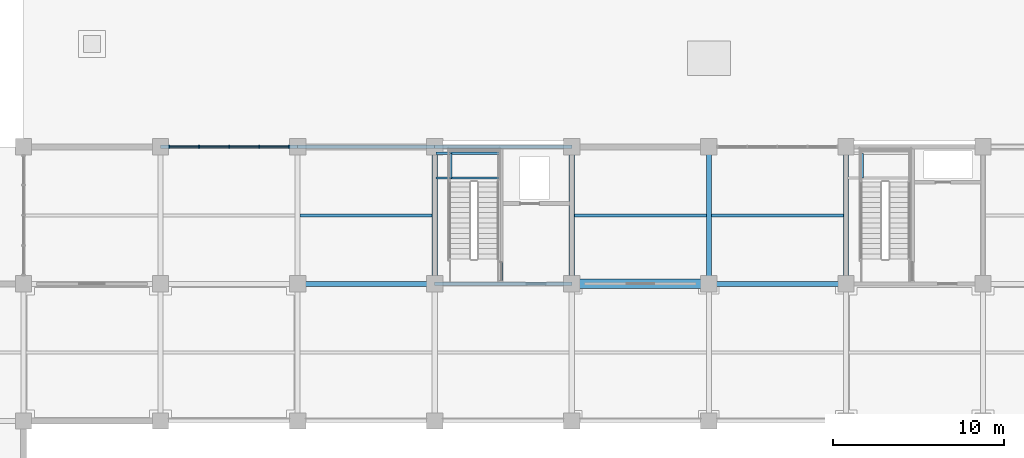
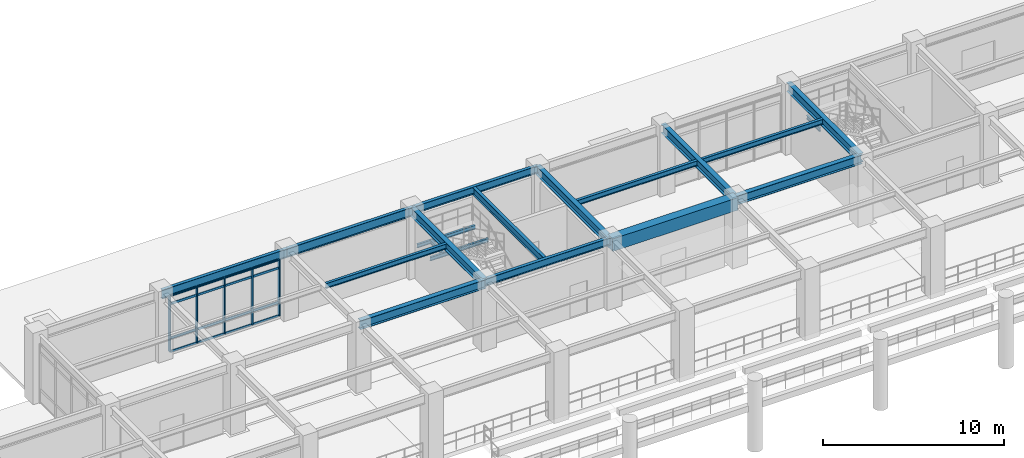
# One storey, part 42 of 109: 21 members, 19 beams, 1 element without a shape of its own.
"""IFC4 building model written with IfcOpenShell, lengths in metres."""

from ifc_helpers import new_model, si_unit, direction, frame, origin, origin_2d, place, context, subcontext, project, spatial, rectangle, i_section, extrude, material, layer, layer_set, material_profile, profile_set, type_object, element, aggregate, save


model = new_model("IFC4")

# Units and contexts
model_context = context("Model", 3, precision=1e-05, world=origin(), true_north=direction((0.0, 1.0)))
body_context = subcontext(model_context, "Body", "Model", "MODEL_VIEW")
ifc_project = project(units=[si_unit("LENGTHUNIT", "METRE"), si_unit("AREAUNIT", "SQUARE_METRE"), si_unit("VOLUMEUNIT", "CUBIC_METRE"), si_unit("PLANEANGLEUNIT", "RADIAN"), si_unit("MASSUNIT", "GRAM", prefix="KILO")], contexts=[model_context])

# Site, building, storey
site_placement = place(None, origin())
site = spatial("IfcSite", under=ifc_project, at=site_placement, CompositionType="ELEMENT")
building_placement = place(site_placement, origin())
building = spatial("IfcBuilding", under=site, at=building_placement, Name="Haebicheon Civic Stadium", CompositionType="ELEMENT")
storey_placement = place(building_placement, frame((0.0, 0.0, 9.60009765625)))
storey = spatial("IfcBuildingStorey", under=building, at=storey_placement, Name="L03", CompositionType="ELEMENT", Elevation=9.60009765625)

# Beams
ifc_material_1 = material(Name="Concrete C40/50", Category="concrete")
ifc_material_profile_1 = material_profile(ifc_material_1, rectangle(XDim=0.550048828125, YDim=0.85009765625, at=origin_2d()), Name="RC-BM-550x850")
ifc_profile_set_1 = profile_set([ifc_material_profile_1], Name="Concrete C40/50")
beam_type_1 = type_object("IfcBeamType", Name="BM-RC-550x850", PredefinedType="BEAM", material=ifc_profile_set_1)
beam_1_placement = place(storey_placement, frame((96.0, 160.0, 4.114990234375), z_axis=(1.0, 0.0, 0.0), x_axis=(0.0, 1.0, 0.0)))
element("IfcBeam", 1, at=beam_1_placement, inside=storey, type_object=beam_type_1, material=ifc_profile_set_1, Name="L03 beam W/13-14", PredefinedType="BEAM", context=body_context, shape_type="SweptSolid", body=[
    extrude(rectangle(XDim=0.550048828125, YDim=0.85009765625, at=origin_2d()), origin(), (0.0, 0.0, 1.0), 8.0),
])
ifc_material_2 = material(Name="Steel SM355 (S355)", Category="steel")
ifc_material_profile_2 = material_profile(ifc_material_2, i_section(OverallWidth=0.199951171875, OverallDepth=0.5, WebThickness=0.010009765625, FlangeThickness=0.01611328125, at=origin_2d()), Name="H-500x200x10x16")
ifc_profile_set_2 = profile_set([ifc_material_profile_2], Name="Steel SM355 (S355)")
beam_type_2 = type_object("IfcBeamType", Name="BM-ST-H500", PredefinedType="BEAM", material=ifc_profile_set_2)
for number, where, z_axis, x_axis, name in (
    (2, (88.0, 160.0, 4.289794921875), (1.0, 0.0, 0.0), (0.0, 1.0, 0.0), "L03 beam W/12-13"),
    (3, (88.0, 168.0, 4.289794921875), (1.0, 0.0, 0.0), (0.0, 1.0, 0.0), "L03 beam X/12-13"),
):
    element("IfcBeam", number, at=place(storey_placement, frame(where, z_axis=z_axis, x_axis=x_axis)), inside=storey, type_object=beam_type_2, material=ifc_profile_set_2, Name=name, PredefinedType="BEAM", context=body_context, shape_type="SweptSolid", body=[
        extrude(i_section(OverallWidth=0.199951171875, OverallDepth=0.5, WebThickness=0.010009765625, FlangeThickness=0.01611328125, at=origin_2d()), origin(), (0.0, 0.0, 1.0), 8.0),
    ])
beam_2_placement = place(storey_placement, frame((91.8798828125, 160.10009765625, 4.289794921875), z_axis=(0.0, 1.0, 0.0), x_axis=(-1.0, 0.0, 0.0)))
element("IfcBeam", 4, at=beam_2_placement, inside=storey, type_object=beam_type_2, material=ifc_profile_set_2, Name="L03 KC-08 core dividing wall support beam", PredefinedType="BEAM", context=body_context, shape_type="SweptSolid", body=[
    extrude(i_section(OverallWidth=0.199951171875, OverallDepth=0.5, WebThickness=0.010009765625, FlangeThickness=0.01611328125, at=origin_2d()), origin(), (0.0, 0.0, 1.0), 7.7998046875),
])
ifc_material_3 = material(Name="Steel SM355 (S355)", Category="steel")
ifc_material_profile_3 = material_profile(ifc_material_3, i_section(OverallWidth=0.300048828125, OverallDepth=0.60009765625, WebThickness=0.011962890625, FlangeThickness=0.02001953125, at=origin_2d()), Name="H-600x300x12x20")
ifc_profile_set_3 = profile_set([ifc_material_profile_3], Name="Steel SM355 (S355)")
beam_type_3 = type_object("IfcBeamType", Name="BM-ST-H600A", PredefinedType="BEAM", material=ifc_profile_set_3)
for number, where, z_axis, x_axis, name in (
    (5, (88.0, 160.0, 4.239990234375), (0.0, 1.0, 0.0), (-1.0, 0.0, 0.0), "L03 girder 12/W-X"),
    (6, (96.0, 160.0, 4.239990234375), (0.0, 1.0, 0.0), (-1.0, 0.0, 0.0), "L03 girder 13/W-X"),
    (7, (104.0, 160.0, 4.239990234375), (0.0, 1.0, 0.0), (-1.0, 0.0, 0.0), "L03 girder 14/W-X"),
    (8, (112.0, 160.0, 4.239990234375), (0.0, 1.0, 0.0), (-1.0, 0.0, 0.0), "L03 girder 15/W-X"),
    (9, (80.0, 160.0, 4.239990234375), (1.0, 0.0, 0.0), (0.0, 1.0, 0.0), "L03 beam W/11-12"),
    (10, (104.0, 160.0, 4.239990234375), (1.0, 0.0, 0.0), (0.0, 1.0, 0.0), "L03 beam W/14-15"),
):
    element("IfcBeam", number, at=place(storey_placement, frame(where, z_axis=z_axis, x_axis=x_axis)), inside=storey, type_object=beam_type_3, material=ifc_profile_set_3, Name=name, PredefinedType="BEAM", context=body_context, shape_type="SweptSolid", body=[
        extrude(i_section(OverallWidth=0.300048828125, OverallDepth=0.60009765625, WebThickness=0.011962890625, FlangeThickness=0.02001953125, at=origin_2d()), origin(), (0.0, 0.0, 1.0), 8.0),
    ])

# Curtain wall, members
ifc_material_4 = material(Name="Anodised aluminium and laminated glass", Category="aluminium")
ifc_layer = layer(ifc_material_4, 0.179931640625, Name="Anodised aluminium and laminated glass")
ifc_layer_set = layer_set([ifc_layer], Name="Anodised aluminium and laminated glass")
curtain_wall_type = type_object("IfcCurtainWallType", Name="CW-7050x3770", PredefinedType="NOTDEFINED", material=ifc_layer_set)
curtain_wall_placement = place(storey_placement, origin())
curtain_wall = element("IfcCurtainWall", 11, at=curtain_wall_placement, inside=storey, type_object=curtain_wall_type, material=ifc_layer_set, Name="L03 unitised curtain wall 079", PredefinedType="NOTDEFINED")
ifc_material_5 = material(Name="Anodised aluminium 6063-T6", Category="aluminium")
ifc_material_profile_4 = material_profile(ifc_material_5, rectangle(XDim=0.070068359375, YDim=0.199951171875, at=origin_2d()), Name="ALU-MULL-70x200")
ifc_profile_set_4 = profile_set([ifc_material_profile_4], Name="Anodised aluminium 6063-T6")
member_type_1 = type_object("IfcMemberType", Name="CWM-200x70", PredefinedType="MULLION", material=ifc_profile_set_4)
member_1_placement = place(storey_placement, frame((72.510009765625, 168.0, 0.159912109375), z_axis=(0.0, 0.0, 1.0), x_axis=(1.0, 0.0, 0.0)))
member_1 = element("IfcMember", 12, at=member_1_placement, type_object=member_type_1, material=ifc_profile_set_4, Name="CW-L03-079 vertical mullion 1", PredefinedType="MULLION", context=body_context, shape_type="SweptSolid", body=[
    extrude(rectangle(XDim=0.070068359375, YDim=0.199951171875, at=origin_2d()), origin(), (0.0, 0.0, 1.0), 3.77001953125),
])
member_2_placement = place(storey_placement, frame((74.237060546875, 168.0, 0.159912109375), z_axis=(0.0, 0.0, 1.0), x_axis=(1.0, 0.0, 0.0)))
member_2 = element("IfcMember", 13, at=member_2_placement, type_object=member_type_1, material=ifc_profile_set_4, Name="CW-L03-079 vertical mullion 2", PredefinedType="MULLION", context=body_context, shape_type="SweptSolid", body=[
    extrude(rectangle(XDim=0.070068359375, YDim=0.199951171875, at=origin_2d()), origin(), (0.0, 0.0, 1.0), 3.77001953125),
])
member_3_placement = place(storey_placement, frame((76.0, 168.0, 0.159912109375), z_axis=(0.0, 0.0, 1.0), x_axis=(1.0, 0.0, 0.0)))
member_3 = element("IfcMember", 14, at=member_3_placement, type_object=member_type_1, material=ifc_profile_set_4, Name="CW-L03-079 vertical mullion 3", PredefinedType="MULLION", context=body_context, shape_type="SweptSolid", body=[
    extrude(rectangle(XDim=0.070068359375, YDim=0.199951171875, at=origin_2d()), origin(), (0.0, 0.0, 1.0), 3.77001953125),
])
member_4_placement = place(storey_placement, frame((77.762939453125, 168.0, 0.159912109375), z_axis=(0.0, 0.0, 1.0), x_axis=(1.0, 0.0, 0.0)))
member_4 = element("IfcMember", 15, at=member_4_placement, type_object=member_type_1, material=ifc_profile_set_4, Name="CW-L03-079 vertical mullion 4", PredefinedType="MULLION", context=body_context, shape_type="SweptSolid", body=[
    extrude(rectangle(XDim=0.070068359375, YDim=0.199951171875, at=origin_2d()), origin(), (0.0, 0.0, 1.0), 3.77001953125),
])
member_5_placement = place(storey_placement, frame((79.489990234375, 168.0, 0.159912109375), z_axis=(0.0, 0.0, 1.0), x_axis=(1.0, 0.0, 0.0)))
member_5 = element("IfcMember", 16, at=member_5_placement, type_object=member_type_1, material=ifc_profile_set_4, Name="CW-L03-079 vertical mullion 5", PredefinedType="MULLION", context=body_context, shape_type="SweptSolid", body=[
    extrude(rectangle(XDim=0.070068359375, YDim=0.199951171875, at=origin_2d()), origin(), (0.0, 0.0, 1.0), 3.77001953125),
])
ifc_material_6 = material(Name="Anodised aluminium 6063-T6", Category="aluminium")
ifc_material_profile_5 = material_profile(ifc_material_6, rectangle(XDim=0.070068359375, YDim=0.14990234375, at=origin_2d()), Name="ALU-TRAN-70x150")
ifc_profile_set_5 = profile_set([ifc_material_profile_5], Name="Anodised aluminium 6063-T6")
member_type_2 = type_object("IfcMemberType", Name="CWT-150x70", PredefinedType="NOTDEFINED", material=ifc_profile_set_5)
member_6_placement = place(storey_placement, frame((72.544921875, 168.0, 0.159912109375), z_axis=(1.0, 0.0, 0.0), x_axis=(0.0, 1.0, 0.0)))
member_6 = element("IfcMember", 17, at=member_6_placement, type_object=member_type_2, material=ifc_profile_set_5, Name="CW-L03-079 horizontal transom 1.1", ObjectType="TRANSOM", PredefinedType="USERDEFINED", context=body_context, shape_type="SweptSolid", body=[
    extrude(rectangle(XDim=0.070068359375, YDim=0.14990234375, at=origin_2d()), origin(), (0.0, 0.0, 1.0), 1.656982421875),
])
member_7_placement = place(storey_placement, frame((72.544921875, 168.0, 1.059814453125), z_axis=(1.0, 0.0, 0.0), x_axis=(0.0, 1.0, 0.0)))
member_7 = element("IfcMember", 18, at=member_7_placement, type_object=member_type_2, material=ifc_profile_set_5, Name="CW-L03-079 horizontal transom 1.2", ObjectType="TRANSOM", PredefinedType="USERDEFINED", context=body_context, shape_type="SweptSolid", body=[
    extrude(rectangle(XDim=0.070068359375, YDim=0.14990234375, at=origin_2d()), origin(), (0.0, 0.0, 1.0), 1.656982421875),
])
member_8_placement = place(storey_placement, frame((72.544921875, 168.0, 3.3798828125), z_axis=(1.0, 0.0, 0.0), x_axis=(0.0, 1.0, 0.0)))
member_8 = element("IfcMember", 19, at=member_8_placement, type_object=member_type_2, material=ifc_profile_set_5, Name="CW-L03-079 horizontal transom 1.3", ObjectType="TRANSOM", PredefinedType="USERDEFINED", context=body_context, shape_type="SweptSolid", body=[
    extrude(rectangle(XDim=0.070068359375, YDim=0.14990234375, at=origin_2d()), origin(), (0.0, 0.0, 1.0), 1.656982421875),
])
member_9_placement = place(storey_placement, frame((72.544921875, 168.0, 3.929931640625), z_axis=(1.0, 0.0, 0.0), x_axis=(0.0, 1.0, 0.0)))
member_9 = element("IfcMember", 20, at=member_9_placement, type_object=member_type_2, material=ifc_profile_set_5, Name="CW-L03-079 horizontal transom 1.4", ObjectType="TRANSOM", PredefinedType="USERDEFINED", context=body_context, shape_type="SweptSolid", body=[
    extrude(rectangle(XDim=0.070068359375, YDim=0.14990234375, at=origin_2d()), origin(), (0.0, 0.0, 1.0), 1.656982421875),
])
member_10_placement = place(storey_placement, frame((74.27197265625, 168.0, 0.159912109375), z_axis=(1.0, 0.0, 0.0), x_axis=(0.0, 1.0, 0.0)))
member_10 = element("IfcMember", 21, at=member_10_placement, type_object=member_type_2, material=ifc_profile_set_5, Name="CW-L03-079 horizontal transom 2.1", ObjectType="TRANSOM", PredefinedType="USERDEFINED", context=body_context, shape_type="SweptSolid", body=[
    extrude(rectangle(XDim=0.070068359375, YDim=0.14990234375, at=origin_2d()), origin(), (0.0, 0.0, 1.0), 1.693115234375),
])
member_11_placement = place(storey_placement, frame((74.27197265625, 168.0, 1.059814453125), z_axis=(1.0, 0.0, 0.0), x_axis=(0.0, 1.0, 0.0)))
member_11 = element("IfcMember", 22, at=member_11_placement, type_object=member_type_2, material=ifc_profile_set_5, Name="CW-L03-079 horizontal transom 2.2", ObjectType="TRANSOM", PredefinedType="USERDEFINED", context=body_context, shape_type="SweptSolid", body=[
    extrude(rectangle(XDim=0.070068359375, YDim=0.14990234375, at=origin_2d()), origin(), (0.0, 0.0, 1.0), 1.693115234375),
])
member_12_placement = place(storey_placement, frame((74.27197265625, 168.0, 3.3798828125), z_axis=(1.0, 0.0, 0.0), x_axis=(0.0, 1.0, 0.0)))
member_12 = element("IfcMember", 23, at=member_12_placement, type_object=member_type_2, material=ifc_profile_set_5, Name="CW-L03-079 horizontal transom 2.3", ObjectType="TRANSOM", PredefinedType="USERDEFINED", context=body_context, shape_type="SweptSolid", body=[
    extrude(rectangle(XDim=0.070068359375, YDim=0.14990234375, at=origin_2d()), origin(), (0.0, 0.0, 1.0), 1.693115234375),
])
member_13_placement = place(storey_placement, frame((74.27197265625, 168.0, 3.929931640625), z_axis=(1.0, 0.0, 0.0), x_axis=(0.0, 1.0, 0.0)))
member_13 = element("IfcMember", 24, at=member_13_placement, type_object=member_type_2, material=ifc_profile_set_5, Name="CW-L03-079 horizontal transom 2.4", ObjectType="TRANSOM", PredefinedType="USERDEFINED", context=body_context, shape_type="SweptSolid", body=[
    extrude(rectangle(XDim=0.070068359375, YDim=0.14990234375, at=origin_2d()), origin(), (0.0, 0.0, 1.0), 1.693115234375),
])
member_14_placement = place(storey_placement, frame((76.034912109375, 168.0, 0.159912109375), z_axis=(1.0, 0.0, 0.0), x_axis=(0.0, 1.0, 0.0)))
member_14 = element("IfcMember", 25, at=member_14_placement, type_object=member_type_2, material=ifc_profile_set_5, Name="CW-L03-079 horizontal transom 3.1", ObjectType="TRANSOM", PredefinedType="USERDEFINED", context=body_context, shape_type="SweptSolid", body=[
    extrude(rectangle(XDim=0.070068359375, YDim=0.14990234375, at=origin_2d()), origin(), (0.0, 0.0, 1.0), 1.693115234375),
])
member_15_placement = place(storey_placement, frame((76.034912109375, 168.0, 1.059814453125), z_axis=(1.0, 0.0, 0.0), x_axis=(0.0, 1.0, 0.0)))
member_15 = element("IfcMember", 26, at=member_15_placement, type_object=member_type_2, material=ifc_profile_set_5, Name="CW-L03-079 horizontal transom 3.2", ObjectType="TRANSOM", PredefinedType="USERDEFINED", context=body_context, shape_type="SweptSolid", body=[
    extrude(rectangle(XDim=0.070068359375, YDim=0.14990234375, at=origin_2d()), origin(), (0.0, 0.0, 1.0), 1.693115234375),
])
member_16_placement = place(storey_placement, frame((76.034912109375, 168.0, 3.3798828125), z_axis=(1.0, 0.0, 0.0), x_axis=(0.0, 1.0, 0.0)))
member_16 = element("IfcMember", 27, at=member_16_placement, type_object=member_type_2, material=ifc_profile_set_5, Name="CW-L03-079 horizontal transom 3.3", ObjectType="TRANSOM", PredefinedType="USERDEFINED", context=body_context, shape_type="SweptSolid", body=[
    extrude(rectangle(XDim=0.070068359375, YDim=0.14990234375, at=origin_2d()), origin(), (0.0, 0.0, 1.0), 1.693115234375),
])
member_17_placement = place(storey_placement, frame((76.034912109375, 168.0, 3.929931640625), z_axis=(1.0, 0.0, 0.0), x_axis=(0.0, 1.0, 0.0)))
member_17 = element("IfcMember", 28, at=member_17_placement, type_object=member_type_2, material=ifc_profile_set_5, Name="CW-L03-079 horizontal transom 3.4", ObjectType="TRANSOM", PredefinedType="USERDEFINED", context=body_context, shape_type="SweptSolid", body=[
    extrude(rectangle(XDim=0.070068359375, YDim=0.14990234375, at=origin_2d()), origin(), (0.0, 0.0, 1.0), 1.693115234375),
])
member_18_placement = place(storey_placement, frame((77.798095703125, 168.0, 0.159912109375), z_axis=(1.0, 0.0, 0.0), x_axis=(0.0, 1.0, 0.0)))
member_18 = element("IfcMember", 29, at=member_18_placement, type_object=member_type_2, material=ifc_profile_set_5, Name="CW-L03-079 horizontal transom 4.1", ObjectType="TRANSOM", PredefinedType="USERDEFINED", context=body_context, shape_type="SweptSolid", body=[
    extrude(rectangle(XDim=0.070068359375, YDim=0.14990234375, at=origin_2d()), origin(), (0.0, 0.0, 1.0), 1.656982421875),
])
member_19_placement = place(storey_placement, frame((77.798095703125, 168.0, 1.059814453125), z_axis=(1.0, 0.0, 0.0), x_axis=(0.0, 1.0, 0.0)))
member_19 = element("IfcMember", 30, at=member_19_placement, type_object=member_type_2, material=ifc_profile_set_5, Name="CW-L03-079 horizontal transom 4.2", ObjectType="TRANSOM", PredefinedType="USERDEFINED", context=body_context, shape_type="SweptSolid", body=[
    extrude(rectangle(XDim=0.070068359375, YDim=0.14990234375, at=origin_2d()), origin(), (0.0, 0.0, 1.0), 1.656982421875),
])
member_20_placement = place(storey_placement, frame((77.798095703125, 168.0, 3.3798828125), z_axis=(1.0, 0.0, 0.0), x_axis=(0.0, 1.0, 0.0)))
member_20 = element("IfcMember", 31, at=member_20_placement, type_object=member_type_2, material=ifc_profile_set_5, Name="CW-L03-079 horizontal transom 4.3", ObjectType="TRANSOM", PredefinedType="USERDEFINED", context=body_context, shape_type="SweptSolid", body=[
    extrude(rectangle(XDim=0.070068359375, YDim=0.14990234375, at=origin_2d()), origin(), (0.0, 0.0, 1.0), 1.656982421875),
])
member_21_placement = place(storey_placement, frame((77.798095703125, 168.0, 3.929931640625), z_axis=(1.0, 0.0, 0.0), x_axis=(0.0, 1.0, 0.0)))
member_21 = element("IfcMember", 32, at=member_21_placement, type_object=member_type_2, material=ifc_profile_set_5, Name="CW-L03-079 horizontal transom 4.4", ObjectType="TRANSOM", PredefinedType="USERDEFINED", context=body_context, shape_type="SweptSolid", body=[
    extrude(rectangle(XDim=0.070068359375, YDim=0.14990234375, at=origin_2d()), origin(), (0.0, 0.0, 1.0), 1.656982421875),
])
aggregate(curtain_wall, [member_1, member_2, member_3, member_4, member_5, member_6, member_7, member_8, member_9, member_10, member_11, member_12, member_13, member_14, member_15, member_16, member_17, member_18, member_19, member_20, member_21])

# Beams
ifc_material_7 = material(Name="Steel SM355 (S355)", Category="steel")
ifc_material_profile_6 = material_profile(ifc_material_7, i_section(OverallWidth=0.125, OverallDepth=0.25, WebThickness=0.006103515625, FlangeThickness=0.009033203125, at=origin_2d()), Name="H-250x125x6x9")
ifc_profile_set_6 = profile_set([ifc_material_profile_6], Name="Steel SM355 (S355)")
beam_type_4 = type_object("IfcBeamType", Name="JST-ST-H250", PredefinedType="JOIST", material=ifc_profile_set_6)
for number, where, z_axis, x_axis, name in (
    (33, (88.080078125, 166.169921875, 2.072021484375), (1.0, 0.0, 0.0), (0.0, 1.0, 0.0), "KC-08 L03 stair half-landing front trimmer beam"),
    (34, (88.080078125, 167.6201171875, 2.072021484375), (1.0, 0.0, 0.0), (0.0, 1.0, 0.0), "KC-08 L03 stair half-landing rear trimmer beam"),
):
    element("IfcBeam", number, at=place(storey_placement, frame(where, z_axis=z_axis, x_axis=x_axis)), inside=storey, type_object=beam_type_4, material=ifc_profile_set_6, Name=name, PredefinedType="JOIST", context=body_context, shape_type="SweptSolid", body=[
        extrude(i_section(OverallWidth=0.125, OverallDepth=0.25, WebThickness=0.006103515625, FlangeThickness=0.009033203125, at=origin_2d()), origin(), (0.0, 0.0, 1.0), 3.719970703125),
    ])
for number, where, z_axis, x_axis, name in (
    (35, (88.9599609375, 166.169921875, 2.072021484375), (0.0, 1.0, 0.0), (-1.0, 0.0, 0.0), "KC-08 L03 stair half-landing transverse tie beam"),
    (36, (112.9599609375, 166.169921875, 2.072021484375), (0.0, 1.0, 0.0), (-1.0, 0.0, 0.0), "KC-09 L03 stair half-landing transverse tie beam"),
):
    element("IfcBeam", number, at=place(storey_placement, frame(where, z_axis=z_axis, x_axis=x_axis)), inside=storey, type_object=beam_type_4, material=ifc_profile_set_6, Name=name, PredefinedType="JOIST", context=body_context, shape_type="SweptSolid", body=[
        extrude(i_section(OverallWidth=0.125, OverallDepth=0.25, WebThickness=0.006103515625, FlangeThickness=0.009033203125, at=origin_2d()), origin(), (0.0, 0.0, 1.0), 1.4501953125),
    ])
ifc_material_8 = material(Name="Steel SM355 (S355)", Category="steel")
ifc_material_profile_7 = material_profile(ifc_material_8, i_section(OverallWidth=0.175048828125, OverallDepth=0.35009765625, WebThickness=0.007080078125, FlangeThickness=0.010986328125, at=origin_2d()), Name="H-350x175x7x11")
ifc_profile_set_7 = profile_set([ifc_material_profile_7], Name="Steel SM355 (S355)")
beam_type_5 = type_object("IfcBeamType", Name="JST-ST-H350", PredefinedType="JOIST", material=ifc_profile_set_7)
for number, where, z_axis, x_axis, name in (
    (37, (80.14990234375, 164.0, 4.364990234375), (1.0, 0.0, 0.0), (0.0, 1.0, 0.0), "L03 secondary joist 10-20"),
    (38, (96.14990234375, 164.0, 4.364990234375), (1.0, 0.0, 0.0), (0.0, 1.0, 0.0), "L03 secondary joist 12-20"),
    (39, (104.14990234375, 164.0, 4.364990234375), (1.0, 0.0, 0.0), (0.0, 1.0, 0.0), "L03 secondary joist 13-20"),
):
    element("IfcBeam", number, at=place(storey_placement, frame(where, z_axis=z_axis, x_axis=x_axis)), inside=storey, type_object=beam_type_5, material=ifc_profile_set_7, Name=name, PredefinedType="JOIST", context=body_context, shape_type="SweptSolid", body=[
        extrude(i_section(OverallWidth=0.175048828125, OverallDepth=0.35009765625, WebThickness=0.007080078125, FlangeThickness=0.010986328125, at=origin_2d()), origin(), (0.0, 0.0, 1.0), 7.7001953125),
    ])
ifc_material_9 = material(Name="Steel SM355 (S355)", Category="steel")
ifc_material_profile_8 = material_profile(ifc_material_9, i_section(OverallWidth=0.199951171875, OverallDepth=0.60009765625, WebThickness=0.010986328125, FlangeThickness=0.01708984375, at=origin_2d()), Name="H-600x200x11x17")
ifc_profile_set_8 = profile_set([ifc_material_profile_8], Name="Steel SM355 (S355)")
beam_type_6 = type_object("IfcBeamType", Name="SPD-ST-H600B", PredefinedType="SPANDREL", material=ifc_profile_set_8)
for number, where, z_axis, x_axis, name in (
    (40, (72.0, 168.0, 4.239990234375), (1.0, 0.0, 0.0), (0.0, 1.0, 0.0), "L03 beam X/10-11"),
    (41, (80.0, 168.0, 4.239990234375), (1.0, 0.0, 0.0), (0.0, 1.0, 0.0), "L03 beam X/11-12"),
):
    element("IfcBeam", number, at=place(storey_placement, frame(where, z_axis=z_axis, x_axis=x_axis)), inside=storey, type_object=beam_type_6, material=ifc_profile_set_8, Name=name, PredefinedType="SPANDREL", context=body_context, shape_type="SweptSolid", body=[
        extrude(i_section(OverallWidth=0.199951171875, OverallDepth=0.60009765625, WebThickness=0.010986328125, FlangeThickness=0.01708984375, at=origin_2d()), origin(), (0.0, 0.0, 1.0), 8.0),
    ])

save(model, "model.ifc")
